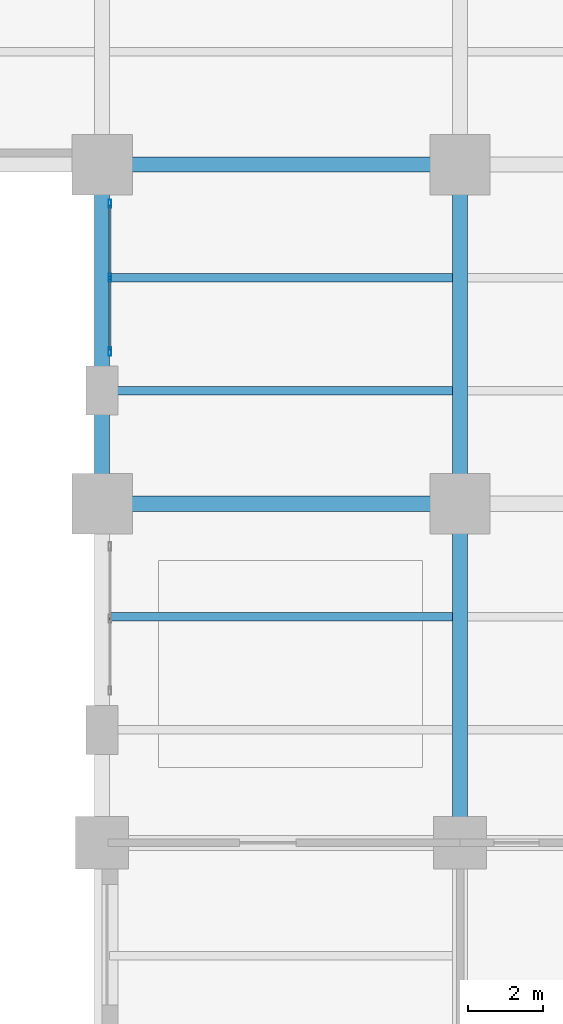
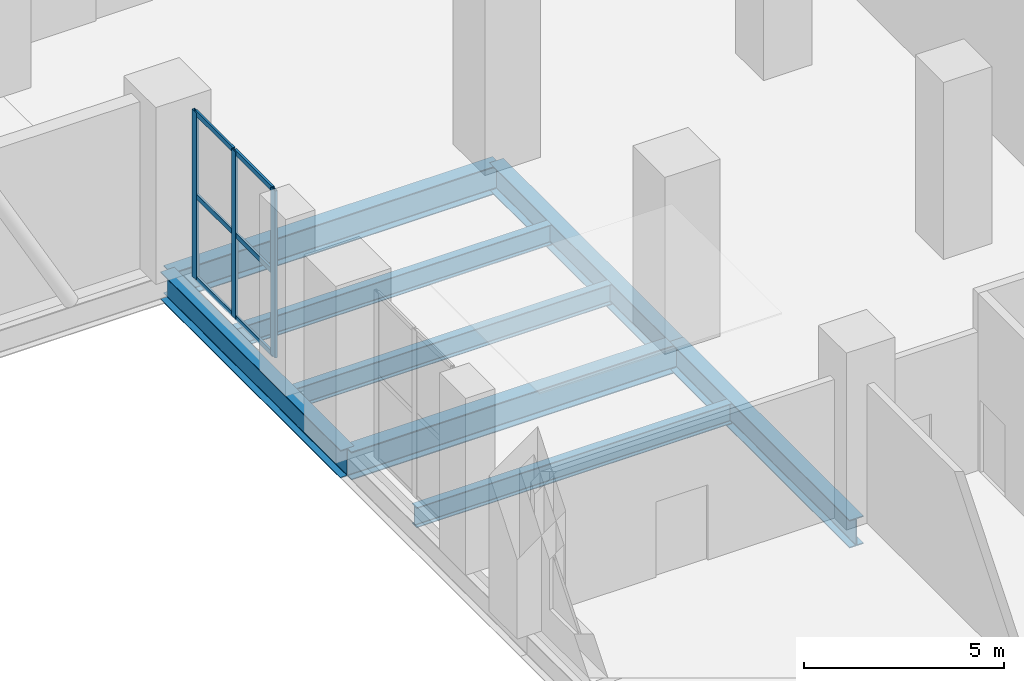
# One storey, part 10 of 20: 9 members, 8 beams, 1 element without a shape of its own.
"""IFC4 building model written with IfcOpenShell, lengths in metres."""

from ifc_helpers import new_model, si_unit, direction, frame, origin, origin_2d, place, context, subcontext, project, spatial, hollow_rectangle, i_section, extrude, material, layer, layer_set, material_profile, profile_set, type_object, element, aggregate, save


model = new_model("IFC4")

# Units and contexts
model_context = context("Model", 3, precision=1e-05, world=origin(), true_north=direction((0.0, 1.0)))
body_context = subcontext(model_context, "Body", "Model", "MODEL_VIEW")
ifc_project = project(units=[si_unit("LENGTHUNIT", "METRE"), si_unit("AREAUNIT", "SQUARE_METRE"), si_unit("VOLUMEUNIT", "CUBIC_METRE"), si_unit("PLANEANGLEUNIT", "RADIAN"), si_unit("MASSUNIT", "GRAM", prefix="KILO")], contexts=[model_context])

# Site, building, storey
site_placement = place(None, origin())
site = spatial("IfcSite", under=ifc_project, at=site_placement, CompositionType="ELEMENT")
building_placement = place(site_placement, origin())
building = spatial("IfcBuilding", under=site, at=building_placement, Name="Mawjdan Bourse Tower", CompositionType="ELEMENT")
storey_placement = place(building_placement, frame((0.0, 0.0, 5.39990234375)))
storey = spatial("IfcBuildingStorey", under=building, at=storey_placement, Name="L01", CompositionType="ELEMENT", Elevation=5.39990234375)

# Beams
ifc_material_1 = material(Name="Structural Steel S355", Category="steel")
ifc_material_profile_1 = material_profile(ifc_material_1, i_section(OverallWidth=0.39892578125, OverallDepth=0.85595703125, WebThickness=0.018310546875, FlangeThickness=0.029296875, FilletRadius=0.0234375, at=origin_2d()), Name="W33X201")
ifc_profile_set_1 = profile_set([ifc_material_profile_1], Name="Structural Steel S355")
beam_type_1 = type_object("IfcBeamType", Name="GRD-W33X201", PredefinedType="BEAM", material=ifc_profile_set_1)
for number, where, z_axis, x_axis, name in (
    (1, (51.0, 21.0, -0.727783203125), (0.0, 1.0, 0.0), (-1.0, 0.0, 0.0), "L01 Podium Primary Girder 028"),
    (2, (60.5, 12.0, -0.727783203125), (0.0, 1.0, 0.0), (-1.0, 0.0, 0.0), "L01 Podium Primary Girder 032"),
    (3, (60.5, 21.0, -0.727783203125), (0.0, 1.0, 0.0), (-1.0, 0.0, 0.0), "L01 Podium Primary Girder 033"),
):
    element("IfcBeam", number, at=place(storey_placement, frame(where, z_axis=z_axis, x_axis=x_axis)), inside=storey, type_object=beam_type_1, Name=name, PredefinedType="BEAM", context=body_context, shape_type="SweptSolid", body=[
        extrude(i_section(OverallWidth=0.39892578125, OverallDepth=0.85595703125, WebThickness=0.018310546875, FlangeThickness=0.029296875, FilletRadius=0.0234375, at=origin_2d()), origin(), (0.0, 0.0, 1.0), 9.0),
    ])
for number, where, z_axis, x_axis, name in (
    (4, (51.0, 21.0, -0.727783203125), (1.0, 0.0, 0.0), (0.0, 1.0, 0.0), "L01 Podium Tie Girder 051"),
    (5, (51.0, 30.0, -0.727783203125), (1.0, 0.0, 0.0), (0.0, 1.0, 0.0), "L01 Podium Tie Girder 059"),
):
    element("IfcBeam", number, at=place(storey_placement, frame(where, z_axis=z_axis, x_axis=x_axis)), inside=storey, type_object=beam_type_1, Name=name, PredefinedType="BEAM", context=body_context, shape_type="SweptSolid", body=[
        extrude(i_section(OverallWidth=0.39892578125, OverallDepth=0.85595703125, WebThickness=0.018310546875, FlangeThickness=0.029296875, FilletRadius=0.0234375, at=origin_2d()), origin(), (0.0, 0.0, 1.0), 9.5),
    ])
ifc_material_profile_2 = material_profile(ifc_material_1, i_section(OverallWidth=0.22998046875, OverallDepth=0.616943359375, WebThickness=0.01318359375, FlangeThickness=0.022216796875, FilletRadius=0.017822265625, at=origin_2d()), Name="W24X94")
ifc_profile_set_2 = profile_set([ifc_material_profile_2], Name="Structural Steel S355")
beam_type_2 = type_object("IfcBeamType", Name="JST-W24X94", PredefinedType="JOIST", material=ifc_profile_set_2)
for number, where, z_axis, x_axis, name in (
    (6, (51.197509765625, 18.0, -0.6083984375), (1.0, 0.0, 0.0), (0.0, 1.0, 0.0), "L01 Composite Floor Joist 089"),
    (7, (51.197509765625, 24.0, -0.6083984375), (1.0, 0.0, 0.0), (0.0, 1.0, 0.0), "L01 Composite Floor Joist 093"),
    (8, (51.197509765625, 27.0, -0.6083984375), (1.0, 0.0, 0.0), (0.0, 1.0, 0.0), "L01 Composite Floor Joist 097"),
):
    element("IfcBeam", number, at=place(storey_placement, frame(where, z_axis=z_axis, x_axis=x_axis)), inside=storey, type_object=beam_type_2, Name=name, PredefinedType="JOIST", context=body_context, shape_type="SweptSolid", body=[
        extrude(i_section(OverallWidth=0.22998046875, OverallDepth=0.616943359375, WebThickness=0.01318359375, FlangeThickness=0.022216796875, FilletRadius=0.017822265625, at=origin_2d()), origin(), (0.0, 0.0, 1.0), 9.10498046875),
    ])

# Curtain wall, members
ifc_material_2 = material(Name="Thermally Broken Aluminium and Solar Glass", Category="aluminium")
ifc_layer = layer(ifc_material_2, 0.219970703125)
ifc_layer_set = layer_set([ifc_layer], Name="Thermally Broken Aluminium and Solar Glass")
curtain_wall_type = type_object("IfcCurtainWallType", Name="CW-ARCH", PredefinedType="USERDEFINED", material=ifc_layer_set)
curtain_wall_placement = place(storey_placement, origin())
curtain_wall = element("IfcCurtainWall", 9, at=curtain_wall_placement, inside=storey, type_object=curtain_wall_type, Name="L01 Giant Arch East Glazed Wall North", ObjectType="ARCHWAY GLAZED CURTAIN WALL", PredefinedType="USERDEFINED")
ifc_material_3 = material(Name="Thermally Broken Anodised Aluminium", Category="aluminium")
ifc_material_profile_3 = material_profile(ifc_material_3, hollow_rectangle(XDim=0.074951171875, YDim=0.219970703125, WallThickness=0.0048828125, at=origin_2d()), Name="ALU-MUL-220X75")
ifc_profile_set_3 = profile_set([ifc_material_profile_3], Name="Thermally Broken Anodised Aluminium")
member_type_1 = type_object("IfcMemberType", Name="MUL-ALU-MUL-220X75", PredefinedType="MULLION", material=ifc_profile_set_3)
member_1_placement = place(storey_placement, frame((51.2099609375, 25.03759765625, 0.0), z_axis=(0.0, 0.0, 1.0), x_axis=(-1.0, 0.0, 0.0)))
member_1 = element("IfcMember", 10, at=member_1_placement, type_object=member_type_1, Name="CW-ARCH-L01-ARCH-E2 mullion 1", PredefinedType="MULLION", context=body_context, shape_type="SweptSolid", body=[
    extrude(hollow_rectangle(XDim=0.074951171875, YDim=0.219970703125, WallThickness=0.0048828125, at=origin_2d()), origin(), (0.0, 0.0, 1.0), 5.10009765625),
])
member_2_placement = place(storey_placement, frame((51.2099609375, 27.0, 0.0), z_axis=(0.0, 0.0, 1.0), x_axis=(-1.0, 0.0, 0.0)))
member_2 = element("IfcMember", 11, at=member_2_placement, type_object=member_type_1, Name="CW-ARCH-L01-ARCH-E2 mullion 2", PredefinedType="MULLION", context=body_context, shape_type="SweptSolid", body=[
    extrude(hollow_rectangle(XDim=0.074951171875, YDim=0.219970703125, WallThickness=0.0048828125, at=origin_2d()), origin(), (0.0, 0.0, 1.0), 5.10009765625),
])
member_3_placement = place(storey_placement, frame((51.2099609375, 28.96240234375, 0.0), z_axis=(0.0, 0.0, 1.0), x_axis=(-1.0, 0.0, 0.0)))
member_3 = element("IfcMember", 12, at=member_3_placement, type_object=member_type_1, Name="CW-ARCH-L01-ARCH-E2 mullion 3", PredefinedType="MULLION", context=body_context, shape_type="SweptSolid", body=[
    extrude(hollow_rectangle(XDim=0.074951171875, YDim=0.219970703125, WallThickness=0.0048828125, at=origin_2d()), origin(), (0.0, 0.0, 1.0), 5.10009765625),
])
ifc_material_profile_4 = material_profile(ifc_material_3, hollow_rectangle(XDim=0.06005859375, YDim=0.155029296875, WallThickness=0.00390625, at=origin_2d()), Name="ALU-TRN-155X60")
ifc_profile_set_4 = profile_set([ifc_material_profile_4], Name="Thermally Broken Anodised Aluminium")
member_type_2 = type_object("IfcMemberType", Name="TRN-ALU-TRN-155X60", PredefinedType="USERDEFINED", material=ifc_profile_set_4)
member_4_placement = place(storey_placement, frame((51.2099609375, 25.074951171875, 0.030029296875), z_axis=(0.0, 1.0, 0.0), x_axis=(-1.0, 0.0, 0.0)))
member_4 = element("IfcMember", 13, at=member_4_placement, type_object=member_type_2, Name="CW-ARCH-L01-ARCH-E2 transom 1.1", ObjectType="TRANSOM", PredefinedType="USERDEFINED", context=body_context, shape_type="SweptSolid", body=[
    extrude(hollow_rectangle(XDim=0.06005859375, YDim=0.155029296875, WallThickness=0.00390625, at=origin_2d()), origin(), (0.0, 0.0, 1.0), 1.887451171875),
])
member_5_placement = place(storey_placement, frame((51.2099609375, 25.074951171875, 2.550048828125), z_axis=(0.0, 1.0, 0.0), x_axis=(-1.0, 0.0, 0.0)))
member_5 = element("IfcMember", 14, at=member_5_placement, type_object=member_type_2, Name="CW-ARCH-L01-ARCH-E2 transom 1.2", ObjectType="TRANSOM", PredefinedType="USERDEFINED", context=body_context, shape_type="SweptSolid", body=[
    extrude(hollow_rectangle(XDim=0.06005859375, YDim=0.155029296875, WallThickness=0.00390625, at=origin_2d()), origin(), (0.0, 0.0, 1.0), 1.887451171875),
])
member_6_placement = place(storey_placement, frame((51.2099609375, 25.074951171875, 5.070068359375), z_axis=(0.0, 1.0, 0.0), x_axis=(-1.0, 0.0, 0.0)))
member_6 = element("IfcMember", 15, at=member_6_placement, type_object=member_type_2, Name="CW-ARCH-L01-ARCH-E2 transom 1.3", ObjectType="TRANSOM", PredefinedType="USERDEFINED", context=body_context, shape_type="SweptSolid", body=[
    extrude(hollow_rectangle(XDim=0.06005859375, YDim=0.155029296875, WallThickness=0.00390625, at=origin_2d()), origin(), (0.0, 0.0, 1.0), 1.887451171875),
])
member_7_placement = place(storey_placement, frame((51.2099609375, 27.03759765625, 0.030029296875), z_axis=(0.0, 1.0, 0.0), x_axis=(-1.0, 0.0, 0.0)))
member_7 = element("IfcMember", 16, at=member_7_placement, type_object=member_type_2, Name="CW-ARCH-L01-ARCH-E2 transom 2.1", ObjectType="TRANSOM", PredefinedType="USERDEFINED", context=body_context, shape_type="SweptSolid", body=[
    extrude(hollow_rectangle(XDim=0.06005859375, YDim=0.155029296875, WallThickness=0.00390625, at=origin_2d()), origin(), (0.0, 0.0, 1.0), 1.887451171875),
])
member_8_placement = place(storey_placement, frame((51.2099609375, 27.03759765625, 2.550048828125), z_axis=(0.0, 1.0, 0.0), x_axis=(-1.0, 0.0, 0.0)))
member_8 = element("IfcMember", 17, at=member_8_placement, type_object=member_type_2, Name="CW-ARCH-L01-ARCH-E2 transom 2.2", ObjectType="TRANSOM", PredefinedType="USERDEFINED", context=body_context, shape_type="SweptSolid", body=[
    extrude(hollow_rectangle(XDim=0.06005859375, YDim=0.155029296875, WallThickness=0.00390625, at=origin_2d()), origin(), (0.0, 0.0, 1.0), 1.887451171875),
])
member_9_placement = place(storey_placement, frame((51.2099609375, 27.03759765625, 5.070068359375), z_axis=(0.0, 1.0, 0.0), x_axis=(-1.0, 0.0, 0.0)))
member_9 = element("IfcMember", 18, at=member_9_placement, type_object=member_type_2, Name="CW-ARCH-L01-ARCH-E2 transom 2.3", ObjectType="TRANSOM", PredefinedType="USERDEFINED", context=body_context, shape_type="SweptSolid", body=[
    extrude(hollow_rectangle(XDim=0.06005859375, YDim=0.155029296875, WallThickness=0.00390625, at=origin_2d()), origin(), (0.0, 0.0, 1.0), 1.887451171875),
])
aggregate(curtain_wall, [member_1, member_2, member_3, member_4, member_5, member_6, member_7, member_8, member_9])

save(model, "model.ifc")
